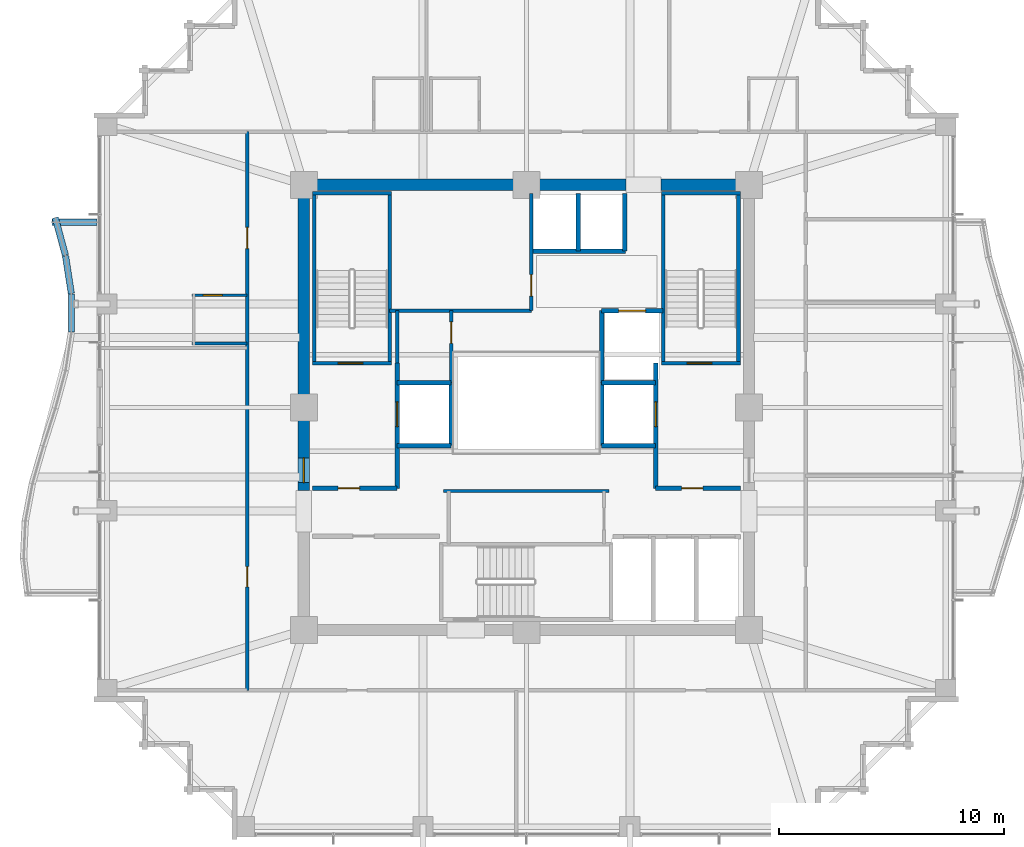
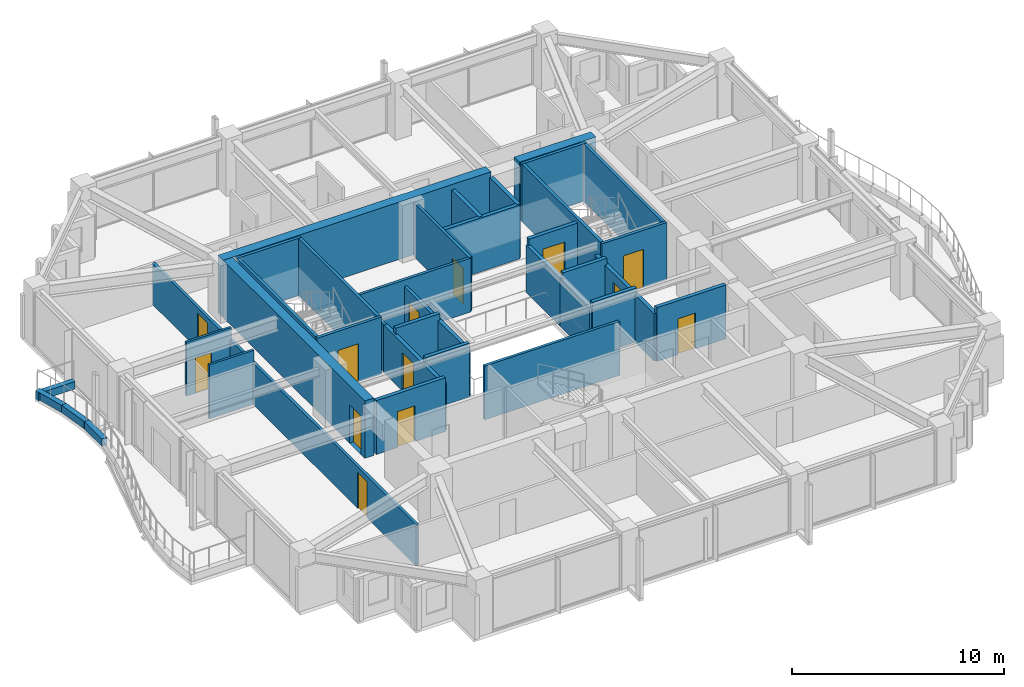
# One storey, part 31 of 35: 38 walls, 13 doors, 13 openings.
"""IFC4 building model written with IfcOpenShell, lengths in metres."""

from ifc_helpers import new_model, si_unit, direction, frame, frame_2d, origin, place, context, subcontext, project, spatial, rectangle, extrude, material, layer, layer_set, type_object, element, fill, save


model = new_model("IFC4")

# Units and contexts
model_context = context("Model", 3, precision=1e-05, world=origin(), true_north=direction((0.0, 1.0)))
body_context = subcontext(model_context, "Body", "Model", "MODEL_VIEW")
ifc_project = project(units=[si_unit("LENGTHUNIT", "METRE"), si_unit("AREAUNIT", "SQUARE_METRE"), si_unit("VOLUMEUNIT", "CUBIC_METRE"), si_unit("PLANEANGLEUNIT", "RADIAN"), si_unit("MASSUNIT", "GRAM", prefix="KILO")], contexts=[model_context])

# Site, building, storey
site_placement = place(None, origin())
site = spatial("IfcSite", under=ifc_project, at=site_placement, CompositionType="ELEMENT")
building_placement = place(site_placement, origin())
building = spatial("IfcBuilding", under=site, at=building_placement, Name="Kolvaren Belvedere", CompositionType="ELEMENT")
storey_placement = place(building_placement, frame((0.0, 0.0, 163.5)))
storey = spatial("IfcBuildingStorey", under=building, at=storey_placement, Name="L47", CompositionType="ELEMENT", Elevation=163.5)

# Walls
ifc_material_1 = material(Name="Concrete C50/60", Category="concrete")
ifc_layer_1 = layer(ifc_material_1, 0.5)
ifc_layer_set_1 = layer_set([ifc_layer_1], Name="Concrete C50/60")
wall_type_1 = type_object("IfcWallType", Name="CW-CORE-500", PredefinedType="SHEAR", material=ifc_layer_set_1)
wall_1_placement = place(storey_placement, frame((-10.14990234375, 9.89990234375, 0.0), z_axis=(0.0, 0.0, 1.0), x_axis=(1.0, 0.0, 0.0)))
element("IfcWall", 1, at=wall_1_placement, inside=storey, type_object=wall_type_1, Name="L47 North Core Shear Wall 1", PredefinedType="SHEAR", context=body_context, shape_type="SweptSolid", body=[
    extrude(rectangle(XDim=14.56982421875, YDim=0.5, at=frame_2d((7.284912109375, 0.0))), origin(), (0.0, 0.0, 1.0), 3.300048828125),
])
wall_2_placement = place(storey_placement, frame((5.97998046875, 9.89990234375, 0.0), z_axis=(0.0, 0.0, 1.0), x_axis=(1.0, 0.0, 0.0)))
element("IfcWall", 2, at=wall_2_placement, inside=storey, type_object=wall_type_1, Name="L47 North Core Shear Wall 2", PredefinedType="SHEAR", context=body_context, shape_type="SweptSolid", body=[
    extrude(rectangle(XDim=4.169921875, YDim=0.5, at=frame_2d((2.0849609375, 0.0))), origin(), (0.0, 0.0, 1.0), 3.300048828125),
])

# Wall, opening, door
wall_3_placement = place(storey_placement, frame((-9.89990234375, -3.699951171875, 0.0), z_axis=(0.0, 0.0, 1.0), x_axis=(0.0, 1.0, 0.0)))
wall_3 = element("IfcWall", 3, at=wall_3_placement, inside=storey, type_object=wall_type_1, Name="L47 West Core Shear Wall 2", PredefinedType="SHEAR", context=body_context, shape_type="SweptSolid", body=[
    extrude(rectangle(XDim=13.349853515625, YDim=0.5, at=frame_2d((6.6748046875, 0.0))), origin(), (0.0, 0.0, 1.0), 3.300048828125),
])
opening_1_placement = place(wall_3_placement, frame((0.35009765625, 0.0, 0.0)))
opening_1 = element("IfcOpeningElement", 4, at=opening_1_placement, cuts=wall_3, Name="Opening D-FD90", PredefinedType="OPENING", context=body_context, shape_type="SweptSolid", body=[
    extrude(rectangle(XDim=1.10009765625, YDim=2.199951171875, at=frame_2d((0.550048828125, 1.10009765625))), frame((0.0, 0.260009765625, 0.0), z_axis=(0.0, -1.0, 0.0), x_axis=(1.0, 0.0, 0.0)), (0.0, 0.0, 1.0), 0.52001953125),
])
ifc_material_2 = material(Name="Painted hollow stainless steel", Category="steel")
door_type_1 = type_object("IfcDoorType", Name="DR-FD90-1100", OperationType="NOTDEFINED", PredefinedType="DOOR", material=ifc_material_2)
door_1_placement = place(opening_1_placement, origin())
door_1 = element("IfcDoor", 5, at=door_1_placement, inside=storey, type_object=door_type_1, Name="L47 West Firefighting Lobby Fire Door", OperationType="SINGLE_SWING_LEFT", OverallHeight=2.199951171875, OverallWidth=1.10009765625, PredefinedType="DOOR", context=body_context, shape_type="SweptSolid", body=[
    extrude(rectangle(XDim=1.10009765625, YDim=2.199951171875, at=frame_2d((0.550048828125, 1.10009765625))), frame((0.0, 0.02490234375, 0.0), z_axis=(0.0, -1.0, 0.0), x_axis=(1.0, 0.0, 0.0)), (0.0, 0.0, 1.0), 0.050048828125),
])
fill(opening_1, door_1)

ifc_material_3 = material(Name="Concrete C50/60", Category="concrete")
ifc_layer_2 = layer(ifc_material_3, 0.159912109375)
ifc_layer_set_2 = layer_set([ifc_layer_2], Name="Concrete C50/60")
wall_type_2 = type_object("IfcWallType", Name="CW-STAIR-160", PredefinedType="SHEAR", material=ifc_layer_set_2)
wall_4_placement = place(storey_placement, frame((-9.52001953125, 1.969970703125, 0.0), z_axis=(0.0, 0.0, 1.0), x_axis=(1.0, 0.0, 0.0)))
wall_4 = element("IfcWall", 6, at=wall_4_placement, inside=storey, type_object=wall_type_2, Name="L47 Stair ST-1 South Shear Wall", PredefinedType="SHEAR", context=body_context, shape_type="SweptSolid", body=[
    extrude(rectangle(XDim=3.52001953125, YDim=0.159912109375, at=frame_2d((1.760009765625, 0.0))), origin(), (0.0, 0.0, 1.0), 3.300048828125),
])
opening_2_placement = place(wall_4_placement, frame((1.14990234375, 0.0, 0.0)))
opening_2 = element("IfcOpeningElement", 7, at=opening_2_placement, cuts=wall_4, Name="Opening D-FD90", PredefinedType="OPENING", context=body_context, shape_type="SweptSolid", body=[
    extrude(rectangle(XDim=1.10009765625, YDim=2.199951171875, at=frame_2d((0.550048828125, 1.10009765625))), frame((0.0, 0.08984375, 0.0), z_axis=(0.0, -1.0, 0.0), x_axis=(1.0, 0.0, 0.0)), (0.0, 0.0, 1.0), 0.179931640625),
])
door_2_placement = place(opening_2_placement, origin())
door_2 = element("IfcDoor", 8, at=door_2_placement, inside=storey, type_object=door_type_1, Name="L47 Stair ST-1 Fire Door", OperationType="SINGLE_SWING_LEFT", OverallHeight=2.199951171875, OverallWidth=1.10009765625, PredefinedType="DOOR", context=body_context, shape_type="SweptSolid", body=[
    extrude(rectangle(XDim=1.10009765625, YDim=2.199951171875, at=frame_2d((0.550048828125, 1.10009765625))), frame((0.0, 0.02490234375, 0.0), z_axis=(0.0, -1.0, 0.0), x_axis=(1.0, 0.0, 0.0)), (0.0, 0.0, 1.0), 0.050048828125),
])
fill(opening_2, door_2)

# Walls
wall_5_placement = place(storey_placement, frame((-9.52001953125, 9.530029296875, 0.0), z_axis=(0.0, 0.0, 1.0), x_axis=(1.0, 0.0, 0.0)))
element("IfcWall", 9, at=wall_5_placement, inside=storey, type_object=wall_type_2, Name="L47 Stair ST-1 North Shear Wall", PredefinedType="SHEAR", context=body_context, shape_type="SweptSolid", body=[
    extrude(rectangle(XDim=3.52001953125, YDim=0.159912109375, at=frame_2d((1.760009765625, 0.0))), origin(), (0.0, 0.0, 1.0), 3.300048828125),
])
for number, where, z_axis, x_axis, name in (
    (10, (-9.429931640625, 1.969970703125, 0.0), (0.0, 0.0, 1.0), (0.0, 1.0, 0.0), "L47 Stair ST-1 West Shear Wall"),
    (11, (-6.080078125, 1.969970703125, 0.0), (0.0, 0.0, 1.0), (0.0, 1.0, 0.0), "L47 Stair ST-1 East Shear Wall"),
):
    element("IfcWall", number, at=place(storey_placement, frame(where, z_axis=z_axis, x_axis=x_axis)), inside=storey, type_object=wall_type_2, Name=name, PredefinedType="SHEAR", context=body_context, shape_type="SweptSolid", body=[
        extrude(rectangle(XDim=7.56005859375, YDim=0.159912109375, at=frame_2d((3.780029296875, 0.0))), origin(), (0.0, 0.0, 1.0), 3.300048828125),
    ])

# Wall, opening, door
wall_6_placement = place(storey_placement, frame((6.0, 1.969970703125, 0.0), z_axis=(0.0, 0.0, 1.0), x_axis=(1.0, 0.0, 0.0)))
wall_6 = element("IfcWall", 12, at=wall_6_placement, inside=storey, type_object=wall_type_2, Name="L47 Stair ST-2 South Shear Wall", PredefinedType="SHEAR", context=body_context, shape_type="SweptSolid", body=[
    extrude(rectangle(XDim=3.52001953125, YDim=0.159912109375, at=frame_2d((1.760009765625, 0.0))), origin(), (0.0, 0.0, 1.0), 3.300048828125),
])
opening_3_placement = place(wall_6_placement, frame((1.14990234375, 0.0, 0.0)))
opening_3 = element("IfcOpeningElement", 13, at=opening_3_placement, cuts=wall_6, Name="Opening D-FD90", PredefinedType="OPENING", context=body_context, shape_type="SweptSolid", body=[
    extrude(rectangle(XDim=1.10009765625, YDim=2.199951171875, at=frame_2d((0.550048828125, 1.10009765625))), frame((0.0, 0.08984375, 0.0), z_axis=(0.0, -1.0, 0.0), x_axis=(1.0, 0.0, 0.0)), (0.0, 0.0, 1.0), 0.179931640625),
])
door_3_placement = place(opening_3_placement, origin())
door_3 = element("IfcDoor", 14, at=door_3_placement, inside=storey, type_object=door_type_1, Name="L47 Stair ST-2 Fire Door", OperationType="SINGLE_SWING_RIGHT", OverallHeight=2.199951171875, OverallWidth=1.10009765625, PredefinedType="DOOR", context=body_context, shape_type="SweptSolid", body=[
    extrude(rectangle(XDim=1.10009765625, YDim=2.199951171875, at=frame_2d((0.550048828125, 1.10009765625))), frame((0.0, 0.02490234375, 0.0), z_axis=(0.0, -1.0, 0.0), x_axis=(1.0, 0.0, 0.0)), (0.0, 0.0, 1.0), 0.050048828125),
])
fill(opening_3, door_3)

# Walls
wall_7_placement = place(storey_placement, frame((6.0, 9.530029296875, 0.0), z_axis=(0.0, 0.0, 1.0), x_axis=(1.0, 0.0, 0.0)))
element("IfcWall", 15, at=wall_7_placement, inside=storey, type_object=wall_type_2, Name="L47 Stair ST-2 North Shear Wall", PredefinedType="SHEAR", context=body_context, shape_type="SweptSolid", body=[
    extrude(rectangle(XDim=3.52001953125, YDim=0.159912109375, at=frame_2d((1.760009765625, 0.0))), origin(), (0.0, 0.0, 1.0), 3.300048828125),
])
for number, where, z_axis, x_axis, name in (
    (16, (6.080078125, 1.969970703125, 0.0), (0.0, 0.0, 1.0), (0.0, 1.0, 0.0), "L47 Stair ST-2 West Shear Wall"),
    (17, (9.429931640625, 1.969970703125, 0.0), (0.0, 0.0, 1.0), (0.0, 1.0, 0.0), "L47 Stair ST-2 East Shear Wall"),
):
    element("IfcWall", number, at=place(storey_placement, frame(where, z_axis=z_axis, x_axis=x_axis)), inside=storey, type_object=wall_type_2, Name=name, PredefinedType="SHEAR", context=body_context, shape_type="SweptSolid", body=[
        extrude(rectangle(XDim=7.56005859375, YDim=0.159912109375, at=frame_2d((3.780029296875, 0.0))), origin(), (0.0, 0.0, 1.0), 3.300048828125),
    ])

# Wall, openings, doors
ifc_material_4 = material(Name="Gypsum fire-rated partition assembly", Category="gypsum")
ifc_layer_3 = layer(ifc_material_4, 0.14990234375)
ifc_layer_set_3 = layer_set([ifc_layer_3], Name="Gypsum fire-rated partition assembly")
wall_type_3 = type_object("IfcWallType", Name="WL-CORR-150", PredefinedType="PARTITIONING", material=ifc_layer_set_3)
wall_8_placement = place(storey_placement, frame((-12.419921875, -12.580078125, 0.0), z_axis=(0.0, 0.0, 1.0), x_axis=(0.0, 1.0, 0.0)))
wall_8 = element("IfcWall", 18, at=wall_8_placement, inside=storey, type_object=wall_type_3, Name="L47 West Corridor Wall", PredefinedType="PARTITIONING", context=body_context, shape_type="SweptSolid", body=[
    extrude(rectangle(XDim=24.840087890625, YDim=0.14990234375, at=frame_2d((12.419921875, 0.0))), origin(), (0.0, 0.0, 1.0), 2.388916015625),
])
opening_4_placement = place(wall_8_placement, frame((4.594970703125, 0.0, 0.0)))
opening_4 = element("IfcOpeningElement", 19, at=opening_4_placement, cuts=wall_8, Name="Opening D-INT90", PredefinedType="OPENING", context=body_context, shape_type="SweptSolid", body=[
    extrude(rectangle(XDim=0.89990234375, YDim=2.06005859375, at=frame_2d((0.449951171875, 1.030029296875))), frame((0.0, 0.0849609375, 0.0), z_axis=(0.0, -1.0, 0.0), x_axis=(1.0, 0.0, 0.0)), (0.0, 0.0, 1.0), 0.169921875),
])
opening_5_placement = place(wall_8_placement, frame((19.639892578125, 0.0, 0.0)))
opening_5 = element("IfcOpeningElement", 20, at=opening_5_placement, cuts=wall_8, Name="Opening D-FD60", PredefinedType="OPENING", context=body_context, shape_type="SweptSolid", body=[
    extrude(rectangle(XDim=0.949951171875, YDim=2.06005859375, at=frame_2d((0.47509765625, 1.030029296875))), frame((0.0, 0.0849609375, 0.0), z_axis=(0.0, -1.0, 0.0), x_axis=(1.0, 0.0, 0.0)), (0.0, 0.0, 1.0), 0.169921875),
])
ifc_material_5 = material(Name="Acoustic white-oak fire door leaf", Category="timber")
door_type_2 = type_object("IfcDoorType", Name="DR-FD60-950", OperationType="NOTDEFINED", PredefinedType="DOOR", material=ifc_material_5)
door_4_placement = place(opening_5_placement, origin())
door_4 = element("IfcDoor", 21, at=door_4_placement, inside=storey, type_object=door_type_2, Name="L47 Deluxe King Guest Room 4708 Entry Door", OperationType="SINGLE_SWING_LEFT", OverallHeight=2.06005859375, OverallWidth=0.949951171875, PredefinedType="DOOR", context=body_context, shape_type="SweptSolid", body=[
    extrude(rectangle(XDim=0.949951171875, YDim=2.06005859375, at=frame_2d((0.47509765625, 1.030029296875))), frame((0.0, 0.02490234375, 0.0), z_axis=(0.0, -1.0, 0.0), x_axis=(1.0, 0.0, 0.0)), (0.0, 0.0, 1.0), 0.050048828125),
])
fill(opening_5, door_4)
ifc_material_6 = material(Name="Stained Pacific white oak", Category="timber")
door_type_3 = type_object("IfcDoorType", Name="DR-INT-900", OperationType="NOTDEFINED", PredefinedType="DOOR", material=ifc_material_6)
door_5_placement = place(opening_4_placement, origin())
door_5 = element("IfcDoor", 22, at=door_5_placement, inside=storey, type_object=door_type_3, Name="L47 Lounge 4707 Door", OperationType="SINGLE_SWING_LEFT", OverallHeight=2.06005859375, OverallWidth=0.89990234375, PredefinedType="DOOR", context=body_context, shape_type="SweptSolid", body=[
    extrude(rectangle(XDim=0.89990234375, YDim=2.06005859375, at=frame_2d((0.449951171875, 1.030029296875))), frame((0.0, 0.02490234375, 0.0), z_axis=(0.0, -1.0, 0.0), x_axis=(1.0, 0.0, 0.0)), (0.0, 0.0, 1.0), 0.050048828125),
])
fill(opening_4, door_5)

# Wall
ifc_material_7 = material(Name="Gypsum acoustic partition assembly", Category="gypsum")
ifc_layer_4 = layer(ifc_material_7, 0.14990234375)
ifc_layer_set_4 = layer_set([ifc_layer_4], Name="Gypsum acoustic partition assembly")
wall_type_4 = type_object("IfcWallType", Name="WL-PART-150", PredefinedType="PARTITIONING", material=ifc_layer_set_4)
wall_9_placement = place(storey_placement, frame((-6.080078125, 4.300048828125, 0.0), z_axis=(0.0, 0.0, 1.0), x_axis=(1.0, 0.0, 0.0)))
element("IfcWall", 23, at=wall_9_placement, inside=storey, type_object=wall_type_4, Name="L47 Reclaimed Salon South Wall", PredefinedType="PARTITIONING", context=body_context, shape_type="SweptSolid", body=[
    extrude(rectangle(XDim=6.300048828125, YDim=0.14990234375, at=frame_2d((3.14990234375, 0.0))), origin(), (0.0, 0.0, 1.0), 3.10009765625),
])

# Wall, opening, door
wall_10_placement = place(storey_placement, frame((0.219970703125, 4.300048828125, 0.0), z_axis=(0.0, 0.0, 1.0), x_axis=(0.0, 1.0, 0.0)))
wall_10 = element("IfcWall", 24, at=wall_10_placement, inside=storey, type_object=wall_type_4, Name="L47 Reclaimed Salon East Wall", PredefinedType="PARTITIONING", context=body_context, shape_type="SweptSolid", body=[
    extrude(rectangle(XDim=5.219970703125, YDim=0.14990234375, at=frame_2d((2.60986328125, 0.0))), origin(), (0.0, 0.0, 1.0), 3.10009765625),
])
opening_6_placement = place(wall_10_placement, frame((0.64990234375, 0.0, 0.0)))
opening_6 = element("IfcOpeningElement", 25, at=opening_6_placement, cuts=wall_10, Name="Opening D-INT95", PredefinedType="OPENING", context=body_context, shape_type="SweptSolid", body=[
    extrude(rectangle(XDim=0.949951171875, YDim=2.06005859375, at=frame_2d((0.47509765625, 1.030029296875))), frame((0.0, 0.0849609375, 0.0), z_axis=(0.0, -1.0, 0.0), x_axis=(1.0, 0.0, 0.0)), (0.0, 0.0, 1.0), 0.169921875),
])
ifc_material_8 = material(Name="Stained Pacific white oak", Category="timber")
door_type_4 = type_object("IfcDoorType", Name="DR-INT-950", OperationType="NOTDEFINED", PredefinedType="DOOR", material=ifc_material_8)
door_6_placement = place(opening_6_placement, origin())
door_6 = element("IfcDoor", 26, at=door_6_placement, inside=storey, type_object=door_type_4, Name="L47 Botanical Reading Salon Door", OperationType="SINGLE_SWING_LEFT", OverallHeight=2.06005859375, OverallWidth=0.949951171875, PredefinedType="DOOR", context=body_context, shape_type="SweptSolid", body=[
    extrude(rectangle(XDim=0.949951171875, YDim=2.06005859375, at=frame_2d((0.47509765625, 1.030029296875))), frame((0.0, 0.02490234375, 0.0), z_axis=(0.0, -1.0, 0.0), x_axis=(1.0, 0.0, 0.0)), (0.0, 0.0, 1.0), 0.050048828125),
])
fill(opening_6, door_6)

# Wall
wall_11_placement = place(storey_placement, frame((-3.679931640625, -3.719970703125, 0.0), z_axis=(0.0, 0.0, 1.0), x_axis=(1.0, 0.0, 0.0)))
element("IfcWall", 27, at=wall_11_placement, inside=storey, type_object=wall_type_4, Name="L47 South Core Service North Wall", PredefinedType="PARTITIONING", context=body_context, shape_type="SweptSolid", body=[
    extrude(rectangle(XDim=7.35986328125, YDim=0.14990234375, at=frame_2d((3.679931640625, 0.0))), origin(), (0.0, 0.0, 1.0), 3.10009765625),
])

# Wall, opening, door
wall_12_placement = place(storey_placement, frame((-3.35009765625, 1.10009765625, 0.0), z_axis=(0.0, 0.0, 1.0), x_axis=(0.0, 1.0, 0.0)))
wall_12 = element("IfcWall", 28, at=wall_12_placement, inside=storey, type_object=wall_type_4, Name="L47 NW Service Room East Wall", PredefinedType="PARTITIONING", context=body_context, shape_type="SweptSolid", body=[
    extrude(rectangle(XDim=3.199951171875, YDim=0.14990234375, at=frame_2d((1.60009765625, 0.0))), origin(), (0.0, 0.0, 1.0), 2.735107421875),
])
opening_7_placement = place(wall_12_placement, frame((1.75, 0.0, 0.0)))
opening_7 = element("IfcOpeningElement", 29, at=opening_7_placement, cuts=wall_12, Name="Opening D-FD60", PredefinedType="OPENING", context=body_context, shape_type="SweptSolid", body=[
    extrude(rectangle(XDim=0.949951171875, YDim=2.06005859375, at=frame_2d((0.47509765625, 1.030029296875))), frame((0.0, 0.0849609375, 0.0), z_axis=(0.0, -1.0, 0.0), x_axis=(1.0, 0.0, 0.0)), (0.0, 0.0, 1.0), 0.169921875),
])
door_7_placement = place(opening_7_placement, origin())
door_7 = element("IfcDoor", 30, at=door_7_placement, inside=storey, type_object=door_type_2, Name="L47 NW Core Store Door", OperationType="SINGLE_SWING_LEFT", OverallHeight=2.06005859375, OverallWidth=0.949951171875, PredefinedType="DOOR", context=body_context, shape_type="SweptSolid", body=[
    extrude(rectangle(XDim=0.949951171875, YDim=2.06005859375, at=frame_2d((0.47509765625, 1.030029296875))), frame((0.0, 0.02490234375, 0.0), z_axis=(0.0, -1.0, 0.0), x_axis=(1.0, 0.0, 0.0)), (0.0, 0.0, 1.0), 0.050048828125),
])
fill(opening_7, door_7)

# Walls
wall_13_placement = place(storey_placement, frame((-5.75, 1.969970703125, 0.0), z_axis=(0.0, 0.0, 1.0), x_axis=(0.0, 1.0, 0.0)))
element("IfcWall", 31, at=wall_13_placement, inside=storey, type_object=wall_type_4, Name="L47 NW Service Room West Wall", PredefinedType="PARTITIONING", context=body_context, shape_type="SweptSolid", body=[
    extrude(rectangle(XDim=2.330078125, YDim=0.14990234375, at=frame_2d((1.1650390625, 0.0))), origin(), (0.0, 0.0, 1.0), 2.735107421875),
])
ifc_material_9 = material(Name="Precast concrete C40/50", Category="concrete")
ifc_layer_5 = layer(ifc_material_9, 0.300048828125)
ifc_layer_set_5 = layer_set([ifc_layer_5], Name="Precast concrete C40/50")
wall_type_5 = type_object("IfcWallType", Name="WL-PLANTER-300", PredefinedType="PARAPET", material=ifc_layer_set_5)
wall_14_placement = place(storey_placement, frame((-20.951904296875, 8.441650390625, -0.02001953125), z_axis=(0.0, 0.0, 1.0), x_axis=(0.260682852326, -0.965424492388, 0.0)))
element("IfcWall", 32, at=wall_14_placement, inside=storey, type_object=wall_type_5, Name="L47 Precast Structural Planter Wall BAL-W-1", PredefinedType="PARAPET", context=body_context, shape_type="SweptSolid", body=[
    extrude(rectangle(XDim=1.739990234375, YDim=0.280029296875, at=frame_2d((0.8701171875, 0.0))), origin(), (0.0, 0.0, 1.0), 0.419921875),
])
wall_15_placement = place(storey_placement, frame((-20.49462890625, 6.744384765625, -0.02001953125), z_axis=(0.0, 0.0, 1.0), x_axis=(0.152251460091, -0.988341789514, 0.0)))
element("IfcWall", 33, at=wall_15_placement, inside=storey, type_object=wall_type_5, Name="L47 Precast Structural Planter Wall BAL-W-2", PredefinedType="PARAPET", context=body_context, shape_type="SweptSolid", body=[
    extrude(rectangle(XDim=1.69970703125, YDim=0.280029296875, at=frame_2d((0.849853515625, 0.0))), origin(), (0.0, 0.0, 1.0), 0.419921875),
])
wall_16_placement = place(storey_placement, frame((-20.23388671875, 5.0400390625, -0.02001953125), z_axis=(0.0, 0.0, 1.0), x_axis=(0.0, -1.0, 0.0)))
element("IfcWall", 34, at=wall_16_placement, inside=storey, type_object=wall_type_5, Name="L47 Precast Structural Planter Wall BAL-W-3", PredefinedType="PARAPET", context=body_context, shape_type="SweptSolid", body=[
    extrude(rectangle(XDim=1.679931640625, YDim=0.280029296875, at=frame_2d((0.83984375, 0.0))), origin(), (0.0, 0.0, 1.0), 0.419921875),
])
wall_17_placement = place(storey_placement, frame((-19.10009765625, 8.239990234375, -0.02001953125), z_axis=(0.0, 0.0, 1.0), x_axis=(-1.0, 0.0, 0.0)))
element("IfcWall", 35, at=wall_17_placement, inside=storey, type_object=wall_type_5, Name="L47 Precast Structural Planter Wall BAL-W-22", PredefinedType="PARAPET", context=body_context, shape_type="SweptSolid", body=[
    extrude(rectangle(XDim=2.006103515625, YDim=0.280029296875, at=frame_2d((1.0029296875, 0.0))), origin(), (0.0, 0.0, 1.0), 0.419921875),
])

# Wall, opening, door
ifc_material_10 = material(Name="Concrete C50/60", Category="concrete")
ifc_layer_6 = layer(ifc_material_10, 0.199951171875)
ifc_layer_set_6 = layer_set([ifc_layer_6], Name="Concrete C50/60")
wall_type_6 = type_object("IfcWallType", Name="WL-SHAFT-200", PredefinedType="SOLIDWALL", material=ifc_layer_set_6)
wall_18_placement = place(storey_placement, frame((-9.52001953125, -3.60009765625, 0.0), z_axis=(0.0, 0.0, 1.0), x_axis=(1.0, 0.0, 0.0)))
wall_18 = element("IfcWall", 36, at=wall_18_placement, inside=storey, type_object=wall_type_6, Name="L47 West FSAE Lobby South Wall", PredefinedType="SOLIDWALL", context=body_context, shape_type="SweptSolid", body=[
    extrude(rectangle(XDim=3.77001953125, YDim=0.199951171875, at=frame_2d((1.885009765625, 0.0))), origin(), (0.0, 0.0, 1.0), 3.10009765625),
])
opening_8_placement = place(wall_18_placement, frame((1.14990234375, 0.0, 0.0)))
opening_8 = element("IfcOpeningElement", 37, at=opening_8_placement, cuts=wall_18, Name="Opening D-FD60", PredefinedType="OPENING", context=body_context, shape_type="SweptSolid", body=[
    extrude(rectangle(XDim=0.949951171875, YDim=2.06005859375, at=frame_2d((0.47509765625, 1.030029296875))), frame((0.0, 0.10986328125, 0.0), z_axis=(0.0, -1.0, 0.0), x_axis=(1.0, 0.0, 0.0)), (0.0, 0.0, 1.0), 0.219970703125),
])
door_8_placement = place(opening_8_placement, origin())
door_8 = element("IfcDoor", 38, at=door_8_placement, inside=storey, type_object=door_type_2, Name="L47 SW Lobby Fire Door", OperationType="SINGLE_SWING_LEFT", OverallHeight=2.06005859375, OverallWidth=0.949951171875, PredefinedType="DOOR", context=body_context, shape_type="SweptSolid", body=[
    extrude(rectangle(XDim=0.949951171875, YDim=2.06005859375, at=frame_2d((0.47509765625, 1.030029296875))), frame((0.0, 0.02490234375, 0.0), z_axis=(0.0, -1.0, 0.0), x_axis=(1.0, 0.0, 0.0)), (0.0, 0.0, 1.0), 0.050048828125),
])
fill(opening_8, door_8)

wall_19_placement = place(storey_placement, frame((-5.75, -3.60009765625, 0.0), z_axis=(0.0, 0.0, 1.0), x_axis=(0.0, 1.0, 0.0)))
wall_19 = element("IfcWall", 39, at=wall_19_placement, inside=storey, type_object=wall_type_6, Name="L47 FSAE FS1 Landing Wall", PredefinedType="SOLIDWALL", context=body_context, shape_type="SweptSolid", body=[
    extrude(rectangle(XDim=5.570068359375, YDim=0.199951171875, at=frame_2d((2.78515625, 0.0))), origin(), (0.0, 0.0, 1.0), 2.735107421875),
])
opening_9_placement = place(wall_19_placement, frame((2.75, 0.0, 0.0)))
opening_9 = element("IfcOpeningElement", 40, at=opening_9_placement, cuts=wall_19, Name="Opening LD-11", PredefinedType="OPENING", context=body_context, shape_type="SweptSolid", body=[
    extrude(rectangle(XDim=1.10009765625, YDim=2.199951171875, at=frame_2d((0.550048828125, 1.10009765625))), frame((0.0, 0.10986328125, 0.0), z_axis=(0.0, -1.0, 0.0), x_axis=(1.0, 0.0, 0.0)), (0.0, 0.0, 1.0), 0.219970703125),
])
ifc_material_11 = material(Name="Brushed stainless steel", Category="steel")
door_type_5 = type_object("IfcDoorType", Name="DR-LIFT-1100", OperationType="DOUBLE_DOOR_SLIDING", PredefinedType="DOOR", material=ifc_material_11)
door_9_placement = place(opening_9_placement, origin())
door_9 = element("IfcDoor", 41, at=door_9_placement, inside=storey, type_object=door_type_5, Name="L47 Firefighting Lift FS1 Landing Door", OperationType="DOUBLE_DOOR_SLIDING", OverallHeight=2.199951171875, OverallWidth=1.10009765625, PredefinedType="DOOR", context=body_context, shape_type="SweptSolid", body=[
    extrude(rectangle(XDim=1.10009765625, YDim=2.199951171875, at=frame_2d((0.550048828125, 1.10009765625))), frame((0.0, 0.02490234375, 0.0), z_axis=(0.0, -1.0, 0.0), x_axis=(1.0, 0.0, 0.0)), (0.0, 0.0, 1.0), 0.050048828125),
])
fill(opening_9, door_9)

# Walls
wall_20_placement = place(storey_placement, frame((-3.35009765625, -1.699951171875, 0.0), z_axis=(0.0, 0.0, 1.0), x_axis=(0.0, 1.0, 0.0)))
element("IfcWall", 42, at=wall_20_placement, inside=storey, type_object=wall_type_6, Name="L47 FSAE FS1 Back Wall", PredefinedType="SOLIDWALL", context=body_context, shape_type="SweptSolid", body=[
    extrude(rectangle(XDim=2.800048828125, YDim=0.199951171875, at=frame_2d((1.39990234375, 0.0))), origin(), (0.0, 0.0, 1.0), 2.735107421875),
])
for number, where, z_axis, x_axis, name in (
    (43, (-5.75, -1.699951171875, 0.0), (0.0, 0.0, 1.0), (1.0, 0.0, 0.0), "L47 FSAE FS1 South Wall"),
    (44, (-5.75, 1.10009765625, 0.0), (0.0, 0.0, 1.0), (1.0, 0.0, 0.0), "L47 FSAE FS1 North Wall"),
):
    element("IfcWall", number, at=place(storey_placement, frame(where, z_axis=z_axis, x_axis=x_axis)), inside=storey, type_object=wall_type_6, Name=name, PredefinedType="SOLIDWALL", context=body_context, shape_type="SweptSolid", body=[
        extrude(rectangle(XDim=2.39990234375, YDim=0.199951171875, at=frame_2d((1.199951171875, 0.0))), origin(), (0.0, 0.0, 1.0), 3.10009765625),
    ])

# Wall, opening, door
wall_21_placement = place(storey_placement, frame((5.75, -3.60009765625, 0.0), z_axis=(0.0, 0.0, 1.0), x_axis=(1.0, 0.0, 0.0)))
wall_21 = element("IfcWall", 45, at=wall_21_placement, inside=storey, type_object=wall_type_6, Name="L47 East FSAE Lobby South Wall", PredefinedType="SOLIDWALL", context=body_context, shape_type="SweptSolid", body=[
    extrude(rectangle(XDim=3.77001953125, YDim=0.199951171875, at=frame_2d((1.885009765625, 0.0))), origin(), (0.0, 0.0, 1.0), 3.10009765625),
])
opening_10_placement = place(wall_21_placement, frame((1.14990234375, 0.0, 0.0)))
opening_10 = element("IfcOpeningElement", 46, at=opening_10_placement, cuts=wall_21, Name="Opening D-FD60", PredefinedType="OPENING", context=body_context, shape_type="SweptSolid", body=[
    extrude(rectangle(XDim=0.949951171875, YDim=2.06005859375, at=frame_2d((0.47509765625, 1.030029296875))), frame((0.0, 0.10986328125, 0.0), z_axis=(0.0, -1.0, 0.0), x_axis=(1.0, 0.0, 0.0)), (0.0, 0.0, 1.0), 0.219970703125),
])
door_10_placement = place(opening_10_placement, origin())
door_10 = element("IfcDoor", 47, at=door_10_placement, inside=storey, type_object=door_type_2, Name="L47 SE Lift Lobby Fire Door", OperationType="SINGLE_SWING_RIGHT", OverallHeight=2.06005859375, OverallWidth=0.949951171875, PredefinedType="DOOR", context=body_context, shape_type="SweptSolid", body=[
    extrude(rectangle(XDim=0.949951171875, YDim=2.06005859375, at=frame_2d((0.47509765625, 1.030029296875))), frame((0.0, 0.02490234375, 0.0), z_axis=(0.0, -1.0, 0.0), x_axis=(1.0, 0.0, 0.0)), (0.0, 0.0, 1.0), 0.050048828125),
])
fill(opening_10, door_10)

wall_22_placement = place(storey_placement, frame((5.75, -3.60009765625, 0.0), z_axis=(0.0, 0.0, 1.0), x_axis=(0.0, 1.0, 0.0)))
wall_22 = element("IfcWall", 48, at=wall_22_placement, inside=storey, type_object=wall_type_6, Name="L47 FSAE FS2 Landing Wall", PredefinedType="SOLIDWALL", context=body_context, shape_type="SweptSolid", body=[
    extrude(rectangle(XDim=5.570068359375, YDim=0.199951171875, at=frame_2d((2.78515625, 0.0))), origin(), (0.0, 0.0, 1.0), 2.735107421875),
])
opening_11_placement = place(wall_22_placement, frame((2.75, 0.0, 0.0)))
opening_11 = element("IfcOpeningElement", 49, at=opening_11_placement, cuts=wall_22, Name="Opening LD-11", PredefinedType="OPENING", context=body_context, shape_type="SweptSolid", body=[
    extrude(rectangle(XDim=1.10009765625, YDim=2.199951171875, at=frame_2d((0.550048828125, 1.10009765625))), frame((0.0, 0.10986328125, 0.0), z_axis=(0.0, -1.0, 0.0), x_axis=(1.0, 0.0, 0.0)), (0.0, 0.0, 1.0), 0.219970703125),
])
door_11_placement = place(opening_11_placement, origin())
door_11 = element("IfcDoor", 50, at=door_11_placement, inside=storey, type_object=door_type_5, Name="L47 Firefighting Lift FS2 Landing Door", OperationType="DOUBLE_DOOR_SLIDING", OverallHeight=2.199951171875, OverallWidth=1.10009765625, PredefinedType="DOOR", context=body_context, shape_type="SweptSolid", body=[
    extrude(rectangle(XDim=1.10009765625, YDim=2.199951171875, at=frame_2d((0.550048828125, 1.10009765625))), frame((0.0, 0.02490234375, 0.0), z_axis=(0.0, -1.0, 0.0), x_axis=(1.0, 0.0, 0.0)), (0.0, 0.0, 1.0), 0.050048828125),
])
fill(opening_11, door_11)

# Walls
wall_23_placement = place(storey_placement, frame((3.35009765625, -1.699951171875, 0.0), z_axis=(0.0, 0.0, 1.0), x_axis=(0.0, 1.0, 0.0)))
element("IfcWall", 51, at=wall_23_placement, inside=storey, type_object=wall_type_6, Name="L47 FSAE FS2 Back Wall", PredefinedType="SOLIDWALL", context=body_context, shape_type="SweptSolid", body=[
    extrude(rectangle(XDim=2.800048828125, YDim=0.199951171875, at=frame_2d((1.39990234375, 0.0))), origin(), (0.0, 0.0, 1.0), 2.735107421875),
])
for number, where, z_axis, x_axis, name in (
    (52, (3.35009765625, -1.699951171875, 0.0), (0.0, 0.0, 1.0), (1.0, 0.0, 0.0), "L47 FSAE FS2 South Wall"),
    (53, (3.35009765625, 1.10009765625, 0.0), (0.0, 0.0, 1.0), (1.0, 0.0, 0.0), "L47 FSAE FS2 North Wall"),
):
    element("IfcWall", number, at=place(storey_placement, frame(where, z_axis=z_axis, x_axis=x_axis)), inside=storey, type_object=wall_type_6, Name=name, PredefinedType="SOLIDWALL", context=body_context, shape_type="SweptSolid", body=[
        extrude(rectangle(XDim=2.39990234375, YDim=0.199951171875, at=frame_2d((1.199951171875, 0.0))), origin(), (0.0, 0.0, 1.0), 3.10009765625),
    ])

# Wall, opening, door
wall_24_placement = place(storey_placement, frame((3.35009765625, 4.300048828125, 0.0), z_axis=(0.0, 0.0, 1.0), x_axis=(1.0, 0.0, 0.0)))
wall_24 = element("IfcWall", 54, at=wall_24_placement, inside=storey, type_object=wall_type_6, Name="L47 Service Lift SV1 Front Wall", PredefinedType="SOLIDWALL", context=body_context, shape_type="SweptSolid", body=[
    extrude(rectangle(XDim=2.72998046875, YDim=0.199951171875, at=frame_2d((1.364990234375, 0.0))), origin(), (0.0, 0.0, 1.0), 3.10009765625),
])
opening_12_placement = place(wall_24_placement, frame((0.75, 0.0, 0.0)))
opening_12 = element("IfcOpeningElement", 55, at=opening_12_placement, cuts=wall_24, Name="Opening LD-12", PredefinedType="OPENING", context=body_context, shape_type="SweptSolid", body=[
    extrude(rectangle(XDim=1.199951171875, YDim=2.25, at=frame_2d((0.60009765625, 1.125))), frame((0.0, 0.10986328125, 0.0), z_axis=(0.0, -1.0, 0.0), x_axis=(1.0, 0.0, 0.0)), (0.0, 0.0, 1.0), 0.219970703125),
])
ifc_material_12 = material(Name="Brushed stainless steel", Category="steel")
door_type_6 = type_object("IfcDoorType", Name="DR-LIFT-1200", OperationType="DOUBLE_DOOR_SLIDING", PredefinedType="DOOR", material=ifc_material_12)
door_12_placement = place(opening_12_placement, origin())
door_12 = element("IfcDoor", 56, at=door_12_placement, inside=storey, type_object=door_type_6, Name="L47 Service Lift SV1 Landing Door", OperationType="DOUBLE_DOOR_SLIDING", OverallHeight=2.25, OverallWidth=1.199951171875, PredefinedType="DOOR", context=body_context, shape_type="SweptSolid", body=[
    extrude(rectangle(XDim=1.199951171875, YDim=2.25, at=frame_2d((0.60009765625, 1.125))), frame((0.0, 0.02490234375, 0.0), z_axis=(0.0, -1.0, 0.0), x_axis=(1.0, 0.0, 0.0)), (0.0, 0.0, 1.0), 0.050048828125),
])
fill(opening_12, door_12)

# Walls
wall_25_placement = place(storey_placement, frame((3.35009765625, 1.10009765625, 0.0), z_axis=(0.0, 0.0, 1.0), x_axis=(0.0, 1.0, 0.0)))
element("IfcWall", 57, at=wall_25_placement, inside=storey, type_object=wall_type_6, Name="L47 Service Lift SV1 West Wall", PredefinedType="SOLIDWALL", context=body_context, shape_type="SweptSolid", body=[
    extrude(rectangle(XDim=3.199951171875, YDim=0.199951171875, at=frame_2d((1.60009765625, 0.0))), origin(), (0.0, 0.0, 1.0), 2.735107421875),
])
wall_26_placement = place(storey_placement, frame((0.219970703125, 6.949951171875, 0.0), z_axis=(0.0, 0.0, 1.0), x_axis=(1.0, 0.0, 0.0)))
element("IfcWall", 58, at=wall_26_placement, inside=storey, type_object=wall_type_6, Name="L47 Express Shuttle Hoistway Wall", PredefinedType="SOLIDWALL", context=body_context, shape_type="SweptSolid", body=[
    extrude(rectangle(XDim=4.179931640625, YDim=0.199951171875, at=frame_2d((2.08984375, 0.0))), origin(), (0.0, 0.0, 1.0), 3.10009765625),
])
for number, where, z_axis, x_axis, name in (
    (59, (4.3798828125, 6.949951171875, 0.0), (0.0, 0.0, 1.0), (0.0, 1.0, 0.0), "L47 Express Shuttle East Wall"),
    (60, (2.31005859375, 6.949951171875, 0.0), (0.0, 0.0, 1.0), (0.0, 1.0, 0.0), "L47 Express Shuttle Divider"),
):
    element("IfcWall", number, at=place(storey_placement, frame(where, z_axis=z_axis, x_axis=x_axis)), inside=storey, type_object=wall_type_6, Name=name, PredefinedType="SOLIDWALL", context=body_context, shape_type="SweptSolid", body=[
        extrude(rectangle(XDim=2.570068359375, YDim=0.199951171875, at=frame_2d((1.28515625, 0.0))), origin(), (0.0, 0.0, 1.0), 3.10009765625),
    ])

# Wall, opening, door
ifc_material_13 = material(Name="Moisture-resistant gypsum partition", Category="gypsum")
ifc_layer_7 = layer(ifc_material_13, 0.125)
ifc_layer_set_7 = layer_set([ifc_layer_7], Name="Moisture-resistant gypsum partition")
wall_type_7 = type_object("IfcWallType", Name="WL-WET-125", PredefinedType="PARTITIONING", material=ifc_layer_set_7)
wall_27_placement = place(storey_placement, frame((-14.875, 4.989013671875, 0.0), z_axis=(0.0, 0.0, 1.0), x_axis=(1.0, 0.0, 0.0)))
wall_27 = element("IfcWall", 61, at=wall_27_placement, inside=storey, type_object=wall_type_7, Name="L47 Bathroom Partition PW-L47-BTH-8-N", PredefinedType="PARTITIONING", context=body_context, shape_type="SweptSolid", body=[
    extrude(rectangle(XDim=2.43994140625, YDim=0.125, at=frame_2d((1.219970703125, 0.0))), origin(), (0.0, 0.0, 1.0), 3.10009765625),
])
opening_13_placement = place(wall_27_placement, frame((0.5, 0.0, 0.0)))
opening_13 = element("IfcOpeningElement", 62, at=opening_13_placement, cuts=wall_27, Name="Opening D-BTH85", PredefinedType="OPENING", context=body_context, shape_type="SweptSolid", body=[
    extrude(rectangle(XDim=0.85009765625, YDim=2.030029296875, at=frame_2d((0.425048828125, 1.01513671875))), frame((0.0, 0.072509765625, 0.0), z_axis=(0.0, -1.0, 0.0), x_axis=(1.0, 0.0, 0.0)), (0.0, 0.0, 1.0), 0.14501953125),
])
ifc_material_14 = material(Name="Moisture-sealed Pacific white oak", Category="timber")
door_type_7 = type_object("IfcDoorType", Name="DR-BATH-850", OperationType="NOTDEFINED", PredefinedType="DOOR", material=ifc_material_14)
door_13_placement = place(opening_13_placement, origin())
door_13 = element("IfcDoor", 63, at=door_13_placement, inside=storey, type_object=door_type_7, Name="L47 En-Suite Bathroom 4708 Door", OperationType="SINGLE_SWING_RIGHT", OverallHeight=2.030029296875, OverallWidth=0.85009765625, PredefinedType="DOOR", context=body_context, shape_type="SweptSolid", body=[
    extrude(rectangle(XDim=0.85009765625, YDim=2.030029296875, at=frame_2d((0.425048828125, 1.01513671875))), frame((0.0, 0.02490234375, 0.0), z_axis=(0.0, -1.0, 0.0), x_axis=(1.0, 0.0, 0.0)), (0.0, 0.0, 1.0), 0.050048828125),
])
fill(opening_13, door_13)

# Wall
wall_28_placement = place(storey_placement, frame((-14.875, 2.839111328125, 0.0), z_axis=(0.0, 0.0, 1.0), x_axis=(1.0, 0.0, 0.0)))
element("IfcWall", 64, at=wall_28_placement, inside=storey, type_object=wall_type_7, Name="L47 Bathroom Partition PW-L47-BTH-8-S", PredefinedType="PARTITIONING", context=body_context, shape_type="SweptSolid", body=[
    extrude(rectangle(XDim=2.43994140625, YDim=0.125, at=frame_2d((1.219970703125, 0.0))), origin(), (0.0, 0.0, 1.0), 3.10009765625),
])

save(model, "model.ifc")
